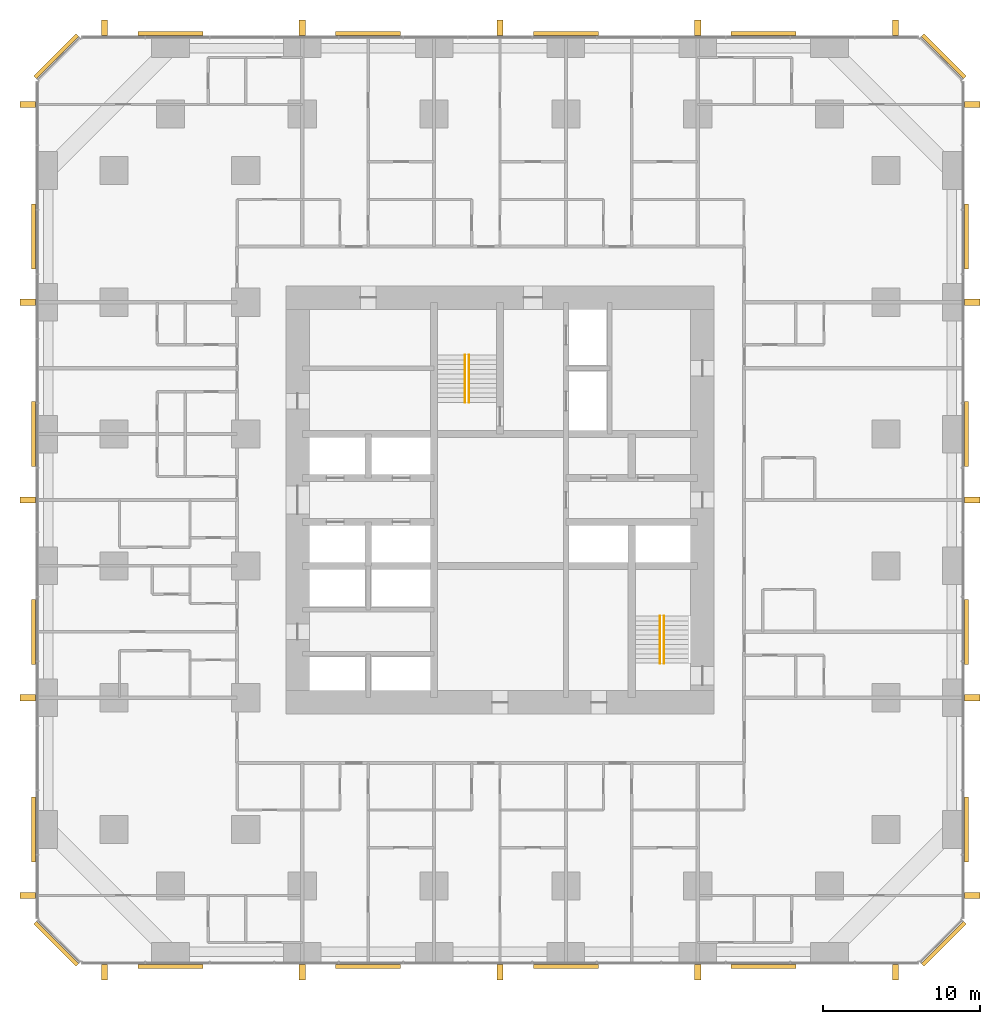
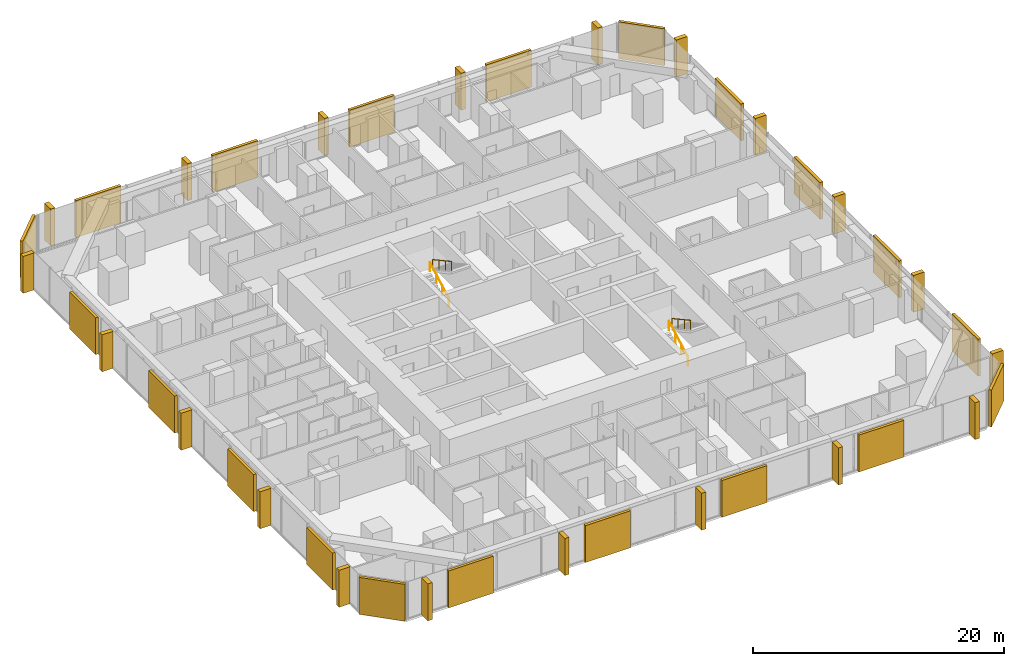
# One storey, part 17 of 17: 20 coverings, 20 shading devices, 4 railings.
"""IFC4 building model written with IfcOpenShell, lengths in metres."""

import ifcopenshell
import ifcopenshell.guid

model = None  # the IFC model being written
_history = None  # IfcOwnerHistory: only IFC2X3 demands one
_inside = {}  # id of a spatial element -> (the spatial element, [elements in it])
_under = {}  # id of a project, library or spatial element -> (it, [spatial elements below it])
_declared = {}  # id of a project -> (the project, [libraries it declares])
_typed = {}  # id of a type object -> (the type object, [elements of that type])
_made_of = {}  # id of a material, layer set ... -> (it, [elements and type objects made of it])


def new_model(schema):
    """Start an empty IFC model of exactly this schema.

    Asked for "IFC4X3", IfcOpenShell would pick the latest addendum, in which some entities
    have other attributes; the version numbers below select the first issue.
    IFC2X3 requires an IfcOwnerHistory on every rooted entity: one is made here for all.
    """
    global model, _history
    if schema == "IFC4X3":
        model = ifcopenshell.file(schema_version=(4, 3, 0, 0))
    else:
        model = ifcopenshell.file(schema=schema)
    _inside.clear()
    _under.clear()
    _declared.clear()
    _typed.clear()
    _made_of.clear()
    _history = None
    if model.schema == "IFC2X3":
        org = make("IfcOrganization", Name="unknown")
        user = make(
            "IfcPersonAndOrganization",
            ThePerson=make("IfcPerson", FamilyName="unknown"),
            TheOrganization=org,
        )
        app = make(
            "IfcApplication",
            ApplicationDeveloper=org,
            Version="unknown",
            ApplicationFullName="unknown",
            ApplicationIdentifier="unknown",
        )
        _history = make(
            "IfcOwnerHistory",
            OwningUser=user,
            OwningApplication=app,
            ChangeAction="ADDED",
            CreationDate=0,
        )
    return model


def make(cls, **values):
    """One entity of the class cls with the attributes given. An attribute that is None is left unset."""
    return model.create_entity(
        cls, **{name: value for name, value in values.items() if value is not None}
    )


def rooted(cls, **values):
    """An entity with a GlobalId (a new one), such as an element, a storey or a relation."""
    return make(cls, GlobalId=ifcopenshell.guid.new(), OwnerHistory=_history, **values)


def si_unit(unit_type, name, prefix=None):
    """IfcSIUnit, for example si_unit("LENGTHUNIT", "METRE", prefix="MILLI")."""
    return make("IfcSIUnit", UnitType=unit_type, Prefix=prefix, Name=name)


def assignment(units):
    """IfcUnitAssignment: the units of a project."""
    return None if units is None else make("IfcUnitAssignment", Units=units)


def point(xyz):
    """IfcCartesianPoint."""
    return None if xyz is None else make("IfcCartesianPoint", Coordinates=xyz)


def direction(xyz):
    """IfcDirection."""
    return None if xyz is None else make("IfcDirection", DirectionRatios=xyz)


def frame(location, z_axis=None, x_axis=None):
    """IfcAxis2Placement3D, a coordinate frame: its origin and axes. An axis left out is left unset."""
    return make(
        "IfcAxis2Placement3D",
        Location=point(location),
        Axis=direction(z_axis),
        RefDirection=direction(x_axis),
    )


def frame_2d(location, x_axis=None):
    """IfcAxis2Placement2D, a coordinate frame in the plane: its origin and x axis."""
    return make(
        "IfcAxis2Placement2D", Location=point(location), RefDirection=direction(x_axis)
    )


def origin():
    """The frame at (0, 0, 0) with its axes left unset."""
    return frame((0.0, 0.0, 0.0))


def origin_2d():
    """The frame at (0, 0) in the plane with its x axis left unset."""
    return frame_2d((0.0, 0.0))


def place(relative_to, where):
    """IfcLocalPlacement: puts the frame where relative to a parent placement (None: the world)."""
    return make(
        "IfcLocalPlacement", PlacementRelTo=relative_to, RelativePlacement=where
    )


def context(
    kind, dimensions, precision=None, world=None, true_north=None, identifier=None
):
    """IfcGeometricRepresentationContext, for example the 3D "Model" context."""
    return make(
        "IfcGeometricRepresentationContext",
        ContextIdentifier=identifier,
        ContextType=kind,
        CoordinateSpaceDimension=dimensions,
        Precision=precision,
        WorldCoordinateSystem=world,
        TrueNorth=true_north,
    )


def subcontext(parent, identifier, kind, view, scale=None):
    """IfcGeometricRepresentationSubContext, for example "Body" below "Model"."""
    return make(
        "IfcGeometricRepresentationSubContext",
        ContextIdentifier=identifier,
        ContextType=kind,
        ParentContext=parent,
        TargetScale=scale,
        TargetView=view,
    )


def project(units=None, contexts=None):
    """IfcProject with its units and contexts."""
    return rooted(
        "IfcProject",
        Name="project",
        RepresentationContexts=contexts,
        UnitsInContext=assignment(units),
    )


def spatial(cls, under=None, at=None, **own):
    """A site, building, storey or space (cls), placed at a placement, below another one or the project."""
    s = rooted(cls, ObjectPlacement=at, **own)
    if under is not None:
        _under.setdefault(under.id(), (under, []))[1].append(s)
    return s


def profile(cls, at=None, kind="AREA", **sizes):
    """A parametric profile (cls). Its sizes go by their IFC names, for example OverallWidth=200.0."""
    return make(cls, ProfileType=kind, Position=at, **sizes)


def rectangle(**sizes):
    """IfcRectangleProfileDef."""
    return profile("IfcRectangleProfileDef", **sizes)


def circle(**sizes):
    """IfcCircleProfileDef."""
    return profile("IfcCircleProfileDef", **sizes)


def extrude(swept, where, along, depth):
    """IfcExtrudedAreaSolid: the profile swept, set in the frame where, extruded along a direction by depth."""
    return make(
        "IfcExtrudedAreaSolid",
        SweptArea=swept,
        Position=where,
        ExtrudedDirection=direction(along),
        Depth=depth,
    )


def shape(context_of_items, identifier, shape_type, items):
    """IfcShapeRepresentation: the items that make up one representation, for example the "Body"."""
    return make(
        "IfcShapeRepresentation",
        ContextOfItems=context_of_items,
        RepresentationIdentifier=identifier,
        RepresentationType=shape_type,
        Items=items,
    )


def material(Name=None, Category=None):
    """IfcMaterial."""
    return make("IfcMaterial", Name=Name, Category=Category)


def layer(
    of_material, thickness, ventilated=None, Name=None, Category=None, Priority=None
):
    """IfcMaterialLayer: one layer of a wall or slab, of a material (None: an air gap)."""
    return make(
        "IfcMaterialLayer",
        Material=of_material,
        LayerThickness=thickness,
        IsVentilated=ventilated,
        Name=Name,
        Category=Category,
        Priority=Priority,
    )


def layer_set(layers, Name=None):
    """IfcMaterialLayerSet."""
    return make("IfcMaterialLayerSet", MaterialLayers=layers, LayerSetName=Name)


def made_of(thing, what):
    """Note that an element or type object is made of a material, layer set ...; save() writes the relation."""
    if what is not None:
        _made_of.setdefault(what.id(), (what, []))[1].append(thing)
    return thing


def type_object(cls, material=None, **own):
    """A type object (cls), such as IfcWallType, which elements share."""
    return made_of(rooted(cls, **own), material)


def element(
    cls,
    number,
    at=None,
    inside=None,
    cuts=None,
    type_object=None,
    material=None,
    context=None,
    identifier="Body",
    shape_type=None,
    held_by="IfcProductDefinitionShape",
    body=None,
    shapes=None,
    **own,
):
    """One element of the class cls, such as IfcWall. Its Tag is "e" and its number.

    at: its placement. inside: the storey or other place that contains it. cuts: it is an
    opening in that element (IfcRelVoidsElement). A single representation is given by context,
    identifier, shape_type and body (its items); several are given by shapes. held_by: the class
    of the entity that holds the representations. save() writes the other relations.
    """
    e = rooted(cls, Tag="e%d" % number, ObjectPlacement=at, **own)
    if body is not None:
        shapes = [shape(context, identifier, shape_type, body)]
    if shapes is not None:
        e.Representation = make(held_by, Representations=shapes)
    if inside is not None:
        _inside.setdefault(inside.id(), (inside, []))[1].append(e)
    if cuts is not None:
        rooted(
            "IfcRelVoidsElement", RelatingBuildingElement=cuts, RelatedOpeningElement=e
        )
    if type_object is not None:
        _typed.setdefault(type_object.id(), (type_object, []))[1].append(e)
    return made_of(e, material)


def aggregate(whole, parts):
    """IfcRelAggregates: a whole, such as a stair, and the parts it consists of."""
    return rooted("IfcRelAggregates", RelatingObject=whole, RelatedObjects=parts)


def save(model, path):
    """Write the relations noted so far, then the file.

    IfcRelAggregates (storeys below a building ...), IfcRelContainedInSpatialStructure (elements
    in a storey), IfcRelDefinesByType, IfcRelAssociatesMaterial and IfcRelDeclares: one each for
    every whole, place, type object, material and project.
    """
    for whole, parts in _under.values():
        aggregate(whole, parts)
    for where, things in _inside.values():
        rooted(
            "IfcRelContainedInSpatialStructure",
            RelatedElements=things,
            RelatingStructure=where,
        )
    for kind, things in _typed.values():
        rooted("IfcRelDefinesByType", RelatedObjects=things, RelatingType=kind)
    for what, things in _made_of.values():
        rooted("IfcRelAssociatesMaterial", RelatedObjects=things, RelatingMaterial=what)
    for by, libraries in _declared.values():
        rooted("IfcRelDeclares", RelatingContext=by, RelatedDefinitions=libraries)
    model.write(path)


model = new_model("IFC4")

# Units and contexts
model_context = context("Model", 3, precision=1e-05, world=origin(), true_north=direction((0.0, 1.0)))
body_context = subcontext(model_context, "Body", "Model", "MODEL_VIEW")
ifc_project = project(units=[si_unit("LENGTHUNIT", "METRE"), si_unit("AREAUNIT", "SQUARE_METRE"), si_unit("VOLUMEUNIT", "CUBIC_METRE"), si_unit("PLANEANGLEUNIT", "RADIAN"), si_unit("MASSUNIT", "GRAM", prefix="KILO")], contexts=[model_context])

# Site, building, storey
site_placement = place(None, origin())
site = spatial("IfcSite", under=ifc_project, at=site_placement, CompositionType="ELEMENT")
building_placement = place(site_placement, origin())
building = spatial("IfcBuilding", under=site, at=building_placement, Name="Dunama Terrace Hotel", CompositionType="ELEMENT")
storey_placement = place(building_placement, frame((0.0, 0.0, 52.199951171875)))
storey = spatial("IfcBuildingStorey", under=building, at=storey_placement, Name="L12", CompositionType="ELEMENT", Elevation=52.199951171875)

# Railings
ifc_material_1 = material(Name="Stainless steel handrail", Category="steel")
railing_type = type_object("IfcRailingType", Name="Stair handrail 900", PredefinedType="HANDRAIL", material=ifc_material_1)
railing_1_placement = place(storey_placement, frame((27.175048828125, 35.625, 0.16357421875)))
element("IfcRailing", 1, at=railing_1_placement, inside=storey, type_object=railing_type, Name="Handrail ST1 L12", PredefinedType="HANDRAIL", context=body_context, shape_type="SweptSolid", body=[
    extrude(circle(Radius=0.02392578125, at=origin_2d()), frame((0.0, 0.0, 0.8759765625), z_axis=(0.0, 0.877881921179, 0.478877158013), x_axis=(-1.0, 0.0, 0.0)), (0.0, 0.0, 1.0), 3.417236328125),
    extrude(circle(Radius=0.02099609375, at=origin_2d()), origin(), (0.0, 0.0, 1.0), 0.851806640625),
    extrude(circle(Radius=0.02099609375, at=origin_2d()), frame((0.0, 1.0, 0.54541015625)), (0.0, 0.0, 1.0), 0.851806640625),
    extrude(circle(Radius=0.02099609375, at=origin_2d()), frame((0.0, 2.0, 1.091064453125)), (0.0, 0.0, 1.0), 0.851806640625),
    extrude(circle(Radius=0.02099609375, at=origin_2d()), frame((0.0, 3.0, 1.636474609375)), (0.0, 0.0, 1.0), 0.851806640625),
])
railing_2_placement = place(storey_placement, frame((27.425048828125, 38.625, 1.963623046875)))
element("IfcRailing", 2, at=railing_2_placement, inside=storey, type_object=railing_type, Name="Handrail ST1 L12", PredefinedType="HANDRAIL", context=body_context, shape_type="SweptSolid", body=[
    extrude(circle(Radius=0.02392578125, at=origin_2d()), frame((0.0, 0.0, 0.8759765625), z_axis=(0.0, -0.877881921179, 0.478877158013), x_axis=(1.0, 0.0, 0.0)), (0.0, 0.0, 1.0), 3.417236328125),
    extrude(circle(Radius=0.02099609375, at=origin_2d()), origin(), (0.0, 0.0, 1.0), 0.851806640625),
    extrude(circle(Radius=0.02099609375, at=origin_2d()), frame((0.0, -1.0, 0.54541015625)), (0.0, 0.0, 1.0), 0.851806640625),
    extrude(circle(Radius=0.02099609375, at=origin_2d()), frame((0.0, -2.0, 1.091064453125)), (0.0, 0.0, 1.0), 0.851806640625),
    extrude(circle(Radius=0.02099609375, at=origin_2d()), frame((0.0, -3.0, 1.636474609375)), (0.0, 0.0, 1.0), 0.851806640625),
])
railing_3_placement = place(storey_placement, frame((39.60009765625, 19.0, 0.16357421875)))
element("IfcRailing", 3, at=railing_3_placement, inside=storey, type_object=railing_type, Name="Handrail ST2 L12", PredefinedType="HANDRAIL", context=body_context, shape_type="SweptSolid", body=[
    extrude(circle(Radius=0.02392578125, at=origin_2d()), frame((0.0, 0.0, 0.8759765625), z_axis=(0.0, 0.877881921179, 0.478877158013), x_axis=(-1.0, 0.0, 0.0)), (0.0, 0.0, 1.0), 3.417236328125),
    extrude(circle(Radius=0.02099609375, at=origin_2d()), origin(), (0.0, 0.0, 1.0), 0.851806640625),
    extrude(circle(Radius=0.02099609375, at=origin_2d()), frame((0.0, 1.0, 0.54541015625)), (0.0, 0.0, 1.0), 0.851806640625),
    extrude(circle(Radius=0.02099609375, at=origin_2d()), frame((0.0, 2.0, 1.091064453125)), (0.0, 0.0, 1.0), 0.851806640625),
    extrude(circle(Radius=0.02099609375, at=origin_2d()), frame((0.0, 3.0, 1.636474609375)), (0.0, 0.0, 1.0), 0.851806640625),
])
railing_4_placement = place(storey_placement, frame((39.85009765625, 22.0, 1.963623046875)))
element("IfcRailing", 4, at=railing_4_placement, inside=storey, type_object=railing_type, Name="Handrail ST2 L12", PredefinedType="HANDRAIL", context=body_context, shape_type="SweptSolid", body=[
    extrude(circle(Radius=0.02392578125, at=origin_2d()), frame((0.0, 0.0, 0.8759765625), z_axis=(0.0, -0.877881921179, 0.478877158013), x_axis=(1.0, 0.0, 0.0)), (0.0, 0.0, 1.0), 3.417236328125),
    extrude(circle(Radius=0.02099609375, at=origin_2d()), origin(), (0.0, 0.0, 1.0), 0.851806640625),
    extrude(circle(Radius=0.02099609375, at=origin_2d()), frame((0.0, -1.0, 0.54541015625)), (0.0, 0.0, 1.0), 0.851806640625),
    extrude(circle(Radius=0.02099609375, at=origin_2d()), frame((0.0, -2.0, 1.091064453125)), (0.0, 0.0, 1.0), 0.851806640625),
    extrude(circle(Radius=0.02099609375, at=origin_2d()), frame((0.0, -3.0, 1.636474609375)), (0.0, 0.0, 1.0), 0.851806640625),
])

# Coverings
ifc_material_2 = material(Name="Warm reconstituted stone panel", Category="masonry")
ifc_layer_1 = layer(ifc_material_2, 0.25)
ifc_layer_set_1 = layer_set([ifc_layer_1], Name="Stone diagonal panel")
covering_type = type_object("IfcCoveringType", Name="Stone diagonal panel", PredefinedType="CLADDING", material=ifc_layer_set_1)
for number, where, z_axis, x_axis, name in (
    (5, (8.39990234375, -0.322998046875, 0.001953125), (0.0, 0.0, 1.0), (1.0, 0.0, 0.0), "Stone diagonal panel L12"),
    (6, (21.0, -0.322998046875, 0.001953125), (0.0, 0.0, 1.0), (1.0, 0.0, 0.0), "Stone diagonal panel L12"),
    (7, (33.60009765625, -0.322998046875, 0.001953125), (0.0, 0.0, 1.0), (1.0, 0.0, 0.0), "Stone diagonal panel L12"),
    (8, (46.199951171875, -0.322998046875, 0.001953125), (0.0, 0.0, 1.0), (1.0, 0.0, 0.0), "Stone diagonal panel L12"),
):
    element("IfcCovering", number, at=place(storey_placement, frame(where, z_axis=z_axis, x_axis=x_axis)), inside=storey, type_object=covering_type, Name=name, PredefinedType="CLADDING", context=body_context, shape_type="SweptSolid", body=[
        extrude(rectangle(XDim=4.14990234375, YDim=0.25, at=origin_2d()), origin(), (0.0, 0.0, 1.0), 3.595947265625),
    ])
covering_1_placement = place(storey_placement, frame((57.678955078125, 1.12109375, 0.001953125), z_axis=(0.0, 0.0, 1.0), x_axis=(0.707106781187, 0.707106781187, 0.0)))
element("IfcCovering", 9, at=covering_1_placement, inside=storey, type_object=covering_type, Name="Stone diagonal panel L12", PredefinedType="CLADDING", context=body_context, shape_type="SweptSolid", body=[
    extrude(rectangle(XDim=3.808349609375, YDim=0.25, at=origin_2d()), origin(), (0.0, 0.0, 1.0), 3.595947265625),
])
for number, where, z_axis, x_axis, name in (
    (10, (59.123046875, 8.39990234375, 0.001953125), (0.0, 0.0, 1.0), (0.0, 1.0, 0.0), "Stone diagonal panel L12"),
    (11, (59.123046875, 21.0, 0.001953125), (0.0, 0.0, 1.0), (0.0, 1.0, 0.0), "Stone diagonal panel L12"),
    (12, (59.123046875, 33.60009765625, 0.001953125), (0.0, 0.0, 1.0), (0.0, 1.0, 0.0), "Stone diagonal panel L12"),
    (13, (59.123046875, 46.199951171875, 0.001953125), (0.0, 0.0, 1.0), (0.0, 1.0, 0.0), "Stone diagonal panel L12"),
):
    element("IfcCovering", number, at=place(storey_placement, frame(where, z_axis=z_axis, x_axis=x_axis)), inside=storey, type_object=covering_type, Name=name, PredefinedType="CLADDING", context=body_context, shape_type="SweptSolid", body=[
        extrude(rectangle(XDim=4.14990234375, YDim=0.25, at=origin_2d()), origin(), (0.0, 0.0, 1.0), 3.595947265625),
    ])
covering_2_placement = place(storey_placement, frame((57.678955078125, 57.678955078125, 0.001953125), z_axis=(0.0, 0.0, 1.0), x_axis=(-0.707106781187, 0.707106781187, 0.0)))
element("IfcCovering", 14, at=covering_2_placement, inside=storey, type_object=covering_type, Name="Stone diagonal panel L12", PredefinedType="CLADDING", context=body_context, shape_type="SweptSolid", body=[
    extrude(rectangle(XDim=3.808349609375, YDim=0.25, at=origin_2d()), origin(), (0.0, 0.0, 1.0), 3.595947265625),
])
for number, where, z_axis, x_axis, name in (
    (15, (46.199951171875, 59.123046875, 0.001953125), (0.0, 0.0, 1.0), (-1.0, 0.0, 0.0), "Stone diagonal panel L12"),
    (16, (33.60009765625, 59.123046875, 0.001953125), (0.0, 0.0, 1.0), (-1.0, 0.0, 0.0), "Stone diagonal panel L12"),
    (17, (21.0, 59.123046875, 0.001953125), (0.0, 0.0, 1.0), (-1.0, 0.0, 0.0), "Stone diagonal panel L12"),
    (18, (8.39990234375, 59.123046875, 0.001953125), (0.0, 0.0, 1.0), (-1.0, 0.0, 0.0), "Stone diagonal panel L12"),
):
    element("IfcCovering", number, at=place(storey_placement, frame(where, z_axis=z_axis, x_axis=x_axis)), inside=storey, type_object=covering_type, Name=name, PredefinedType="CLADDING", context=body_context, shape_type="SweptSolid", body=[
        extrude(rectangle(XDim=4.14990234375, YDim=0.25, at=origin_2d()), origin(), (0.0, 0.0, 1.0), 3.595947265625),
    ])
covering_3_placement = place(storey_placement, frame((1.12109375, 57.678955078125, 0.001953125), z_axis=(0.0, 0.0, 1.0), x_axis=(-0.707106781187, -0.707106781187, 0.0)))
element("IfcCovering", 19, at=covering_3_placement, inside=storey, type_object=covering_type, Name="Stone diagonal panel L12", PredefinedType="CLADDING", context=body_context, shape_type="SweptSolid", body=[
    extrude(rectangle(XDim=3.808349609375, YDim=0.25, at=origin_2d()), origin(), (0.0, 0.0, 1.0), 3.595947265625),
])
for number, where, z_axis, x_axis, name in (
    (20, (-0.322998046875, 46.199951171875, 0.001953125), (0.0, 0.0, 1.0), (0.0, -1.0, 0.0), "Stone diagonal panel L12"),
    (21, (-0.322998046875, 33.60009765625, 0.001953125), (0.0, 0.0, 1.0), (0.0, -1.0, 0.0), "Stone diagonal panel L12"),
    (22, (-0.322998046875, 21.0, 0.001953125), (0.0, 0.0, 1.0), (0.0, -1.0, 0.0), "Stone diagonal panel L12"),
    (23, (-0.322998046875, 8.39990234375, 0.001953125), (0.0, 0.0, 1.0), (0.0, -1.0, 0.0), "Stone diagonal panel L12"),
):
    element("IfcCovering", number, at=place(storey_placement, frame(where, z_axis=z_axis, x_axis=x_axis)), inside=storey, type_object=covering_type, Name=name, PredefinedType="CLADDING", context=body_context, shape_type="SweptSolid", body=[
        extrude(rectangle(XDim=4.14990234375, YDim=0.25, at=origin_2d()), origin(), (0.0, 0.0, 1.0), 3.595947265625),
    ])
covering_4_placement = place(storey_placement, frame((1.12109375, 1.12109375, 0.001953125), z_axis=(0.0, 0.0, 1.0), x_axis=(0.707106781187, -0.707106781187, 0.0)))
element("IfcCovering", 24, at=covering_4_placement, inside=storey, type_object=covering_type, Name="Stone diagonal panel L12", PredefinedType="CLADDING", context=body_context, shape_type="SweptSolid", body=[
    extrude(rectangle(XDim=3.808349609375, YDim=0.25, at=origin_2d()), origin(), (0.0, 0.0, 1.0), 3.595947265625),
])

# Shading devices
ifc_material_3 = material(Name="Warm reconstituted stone fin", Category="masonry")
ifc_layer_2 = layer(ifc_material_3, 0.39990234375)
ifc_layer_set_2 = layer_set([ifc_layer_2], Name="Warm stone fin 400x1000")
shading_device_type = type_object("IfcShadingDeviceType", Name="Warm stone fin 400x1000", PredefinedType="USERDEFINED", material=ifc_layer_set_2)
for number, where, z_axis, x_axis, name in (
    (25, (4.199951171875, -0.68798828125, 0.0), (0.0, 0.0, 1.0), (1.0, 0.0, 0.0), "Stone fin"),
    (26, (16.800048828125, -0.68798828125, 0.0), (0.0, 0.0, 1.0), (1.0, 0.0, 0.0), "Stone fin"),
    (27, (29.39990234375, -0.68798828125, 0.0), (0.0, 0.0, 1.0), (1.0, 0.0, 0.0), "Stone fin"),
    (28, (42.0, -0.68798828125, 0.0), (0.0, 0.0, 1.0), (1.0, 0.0, 0.0), "Stone fin"),
    (29, (54.60009765625, -0.68798828125, 0.0), (0.0, 0.0, 1.0), (1.0, 0.0, 0.0), "Stone fin"),
    (30, (59.488037109375, 4.199951171875, 0.0), (0.0, 0.0, 1.0), (0.0, 1.0, 0.0), "Stone fin"),
    (31, (59.488037109375, 16.800048828125, 0.0), (0.0, 0.0, 1.0), (0.0, 1.0, 0.0), "Stone fin"),
    (32, (59.488037109375, 29.39990234375, 0.0), (0.0, 0.0, 1.0), (0.0, 1.0, 0.0), "Stone fin"),
    (33, (59.488037109375, 42.0, 0.0), (0.0, 0.0, 1.0), (0.0, 1.0, 0.0), "Stone fin"),
    (34, (59.488037109375, 54.60009765625, 0.0), (0.0, 0.0, 1.0), (0.0, 1.0, 0.0), "Stone fin"),
    (35, (54.60009765625, 59.488037109375, 0.0), (0.0, 0.0, 1.0), (-1.0, 0.0, 0.0), "Stone fin"),
    (36, (42.0, 59.488037109375, 0.0), (0.0, 0.0, 1.0), (-1.0, 0.0, 0.0), "Stone fin"),
    (37, (29.39990234375, 59.488037109375, 0.0), (0.0, 0.0, 1.0), (-1.0, 0.0, 0.0), "Stone fin"),
    (38, (16.800048828125, 59.488037109375, 0.0), (0.0, 0.0, 1.0), (-1.0, 0.0, 0.0), "Stone fin"),
    (39, (4.199951171875, 59.488037109375, 0.0), (0.0, 0.0, 1.0), (-1.0, 0.0, 0.0), "Stone fin"),
    (40, (-0.68798828125, 54.60009765625, 0.0), (0.0, 0.0, 1.0), (0.0, -1.0, 0.0), "Stone fin"),
    (41, (-0.68798828125, 42.0, 0.0), (0.0, 0.0, 1.0), (0.0, -1.0, 0.0), "Stone fin"),
    (42, (-0.68798828125, 29.39990234375, 0.0), (0.0, 0.0, 1.0), (0.0, -1.0, 0.0), "Stone fin"),
    (43, (-0.68798828125, 16.800048828125, 0.0), (0.0, 0.0, 1.0), (0.0, -1.0, 0.0), "Stone fin"),
    (44, (-0.68798828125, 4.199951171875, 0.0), (0.0, 0.0, 1.0), (0.0, -1.0, 0.0), "Stone fin"),
):
    element("IfcShadingDevice", number, at=place(storey_placement, frame(where, z_axis=z_axis, x_axis=x_axis)), inside=storey, type_object=shading_device_type, Name=name, ObjectType="FIN", PredefinedType="USERDEFINED", context=body_context, shape_type="SweptSolid", body=[
        extrude(rectangle(XDim=0.39990234375, YDim=1.0, at=origin_2d()), origin(), (0.0, 0.0, 1.0), 3.60009765625),
    ])

save(model, "model.ifc")
